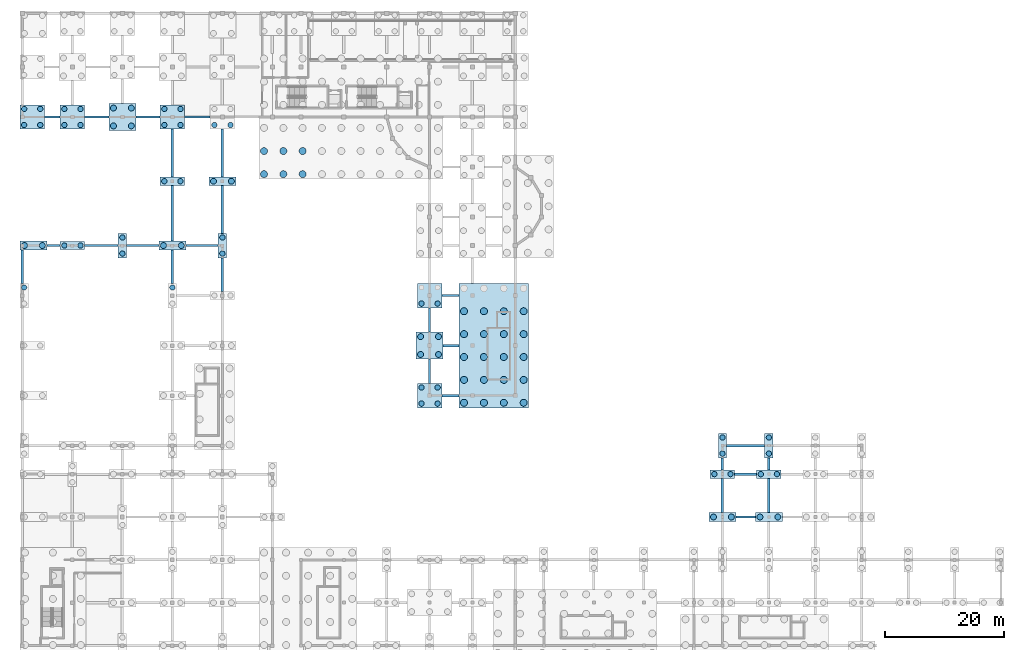
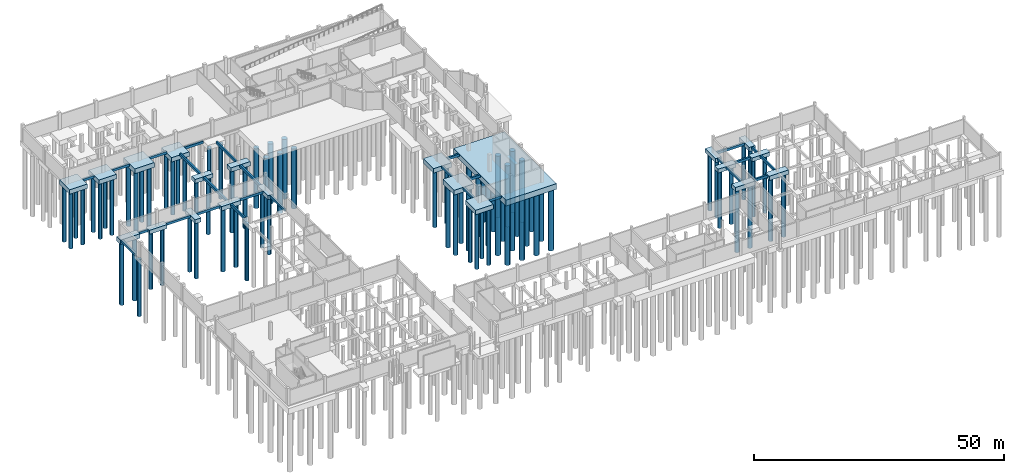
# One storey, part 4 of 22: 82 piles, 48 footings.
"""IFC4 building model written with IfcOpenShell, lengths in metres."""

from ifc_helpers import new_model, si_unit, direction, frame, origin, origin_2d, place, context, subcontext, project, spatial, rectangle, circle, extrude, material, material_profile, profile_set, type_object, element, save


model = new_model("IFC4")

# Units and contexts
model_context = context("Model", 3, precision=1e-05, world=origin(), true_north=direction((0.0, 1.0)))
body_context = subcontext(model_context, "Body", "Model", "MODEL_VIEW")
ifc_project = project(units=[si_unit("LENGTHUNIT", "METRE"), si_unit("AREAUNIT", "SQUARE_METRE"), si_unit("VOLUMEUNIT", "CUBIC_METRE"), si_unit("PLANEANGLEUNIT", "RADIAN"), si_unit("MASSUNIT", "GRAM", prefix="KILO")], contexts=[model_context])

# Site, building, storey
site_placement = place(None, origin())
site = spatial("IfcSite", under=ifc_project, at=site_placement, CompositionType="ELEMENT")
building_placement = place(site_placement, origin())
building = spatial("IfcBuilding", under=site, at=building_placement, Name="Kahlenmark Community Centre", CompositionType="ELEMENT")
storey_placement = place(building_placement, frame((0.0, 0.0, -4.199951171875)))
storey = spatial("IfcBuildingStorey", under=building, at=storey_placement, Name="B1", CompositionType="ELEMENT", Elevation=-4.199951171875)

# Footings
ifc_material = material(Name="Concrete C30/37", Category="concrete")
footing_type_1 = type_object("IfcFootingType", Name="FT-GB-400X600", PredefinedType="FOOTING_BEAM", material=ifc_material)
footing_1_placement = place(storey_placement, frame((125.5, 30.39990234375, -0.60009765625), z_axis=(0.0, 0.0, 1.0), x_axis=(1.0, 0.0, 0.0)))
element("IfcFooting", 1, at=footing_1_placement, inside=storey, type_object=footing_type_1, Name="Ground tie beam X053", PredefinedType="FOOTING_BEAM", context=body_context, shape_type="SweptSolid", body=[
    extrude(rectangle(XDim=3.300048828125, YDim=0.39990234375, at=origin_2d()), origin(), (0.0, 0.0, 1.0), 0.60009765625),
])
footing_2_placement = place(storey_placement, frame((125.5, 37.60009765625, -0.60009765625), z_axis=(0.0, 0.0, 1.0), x_axis=(1.0, 0.0, 0.0)))
element("IfcFooting", 2, at=footing_2_placement, inside=storey, type_object=footing_type_1, Name="Ground tie beam X061", PredefinedType="FOOTING_BEAM", context=body_context, shape_type="SweptSolid", body=[
    extrude(rectangle(XDim=3.699951171875, YDim=0.39990234375, at=origin_2d()), origin(), (0.0, 0.0, 1.0), 0.60009765625),
])
footing_3_placement = place(storey_placement, frame((125.5, 42.39990234375, -0.60009765625), z_axis=(0.0, 0.0, 1.0), x_axis=(1.0, 0.0, 0.0)))
element("IfcFooting", 3, at=footing_3_placement, inside=storey, type_object=footing_type_1, Name="Ground tie beam X068", PredefinedType="FOOTING_BEAM", context=body_context, shape_type="SweptSolid", body=[
    extrude(rectangle(XDim=6.39990234375, YDim=0.39990234375, at=origin_2d()), origin(), (0.0, 0.0, 1.0), 0.60009765625),
])
footing_4_placement = place(storey_placement, frame((75.89990234375, 50.800048828125, -0.60009765625), z_axis=(0.0, 0.0, 1.0), x_axis=(1.0, 0.0, 0.0)))
element("IfcFooting", 4, at=footing_4_placement, inside=storey, type_object=footing_type_1, Name="Ground tie beam X072", PredefinedType="FOOTING_BEAM", context=body_context, shape_type="SweptSolid", body=[
    extrude(rectangle(XDim=2.89990234375, YDim=0.39990234375, at=origin_2d()), origin(), (0.0, 0.0, 1.0), 0.60009765625),
])
footing_5_placement = place(storey_placement, frame((76.0, 59.199951171875, -0.60009765625), z_axis=(0.0, 0.0, 1.0), x_axis=(1.0, 0.0, 0.0)))
element("IfcFooting", 5, at=footing_5_placement, inside=storey, type_object=footing_type_1, Name="Ground tie beam X074", PredefinedType="FOOTING_BEAM", context=body_context, shape_type="SweptSolid", body=[
    extrude(rectangle(XDim=2.699951171875, YDim=0.39990234375, at=origin_2d()), origin(), (0.0, 0.0, 1.0), 0.60009765625),
])
footing_6_placement = place(storey_placement, frame((75.89990234375, 67.60009765625, -0.60009765625), z_axis=(0.0, 0.0, 1.0), x_axis=(1.0, 0.0, 0.0)))
element("IfcFooting", 6, at=footing_6_placement, inside=storey, type_object=footing_type_1, Name="Ground tie beam X076", PredefinedType="FOOTING_BEAM", context=body_context, shape_type="SweptSolid", body=[
    extrude(rectangle(XDim=2.89990234375, YDim=0.39990234375, at=origin_2d()), origin(), (0.0, 0.0, 1.0), 0.60009765625),
])
footing_7_placement = place(storey_placement, frame((9.22509765625, 76.0, -0.60009765625), z_axis=(0.0, 0.0, 1.0), x_axis=(1.0, 0.0, 0.0)))
element("IfcFooting", 7, at=footing_7_placement, inside=storey, type_object=footing_type_1, Name="Ground tie beam X077", PredefinedType="FOOTING_BEAM", context=body_context, shape_type="SweptSolid", body=[
    extrude(rectangle(XDim=2.25, YDim=0.39990234375, at=origin_2d()), origin(), (0.0, 0.0, 1.0), 0.60009765625),
])
footing_8_placement = place(storey_placement, frame((17.27490234375, 76.0, -0.60009765625), z_axis=(0.0, 0.0, 1.0), x_axis=(1.0, 0.0, 0.0)))
element("IfcFooting", 8, at=footing_8_placement, inside=storey, type_object=footing_type_1, Name="Ground tie beam X078", PredefinedType="FOOTING_BEAM", context=body_context, shape_type="SweptSolid", body=[
    extrude(rectangle(XDim=5.64990234375, YDim=0.39990234375, at=origin_2d()), origin(), (0.0, 0.0, 1.0), 0.60009765625),
])
for number, where, z_axis, x_axis, name in (
    (9, (24.22509765625, 76.0, -0.60009765625), (0.0, 0.0, 1.0), (1.0, 0.0, 0.0), "Ground tie beam X079"),
    (10, (34.175048828125, 76.0, -0.60009765625), (0.0, 0.0, 1.0), (1.0, 0.0, 0.0), "Ground tie beam X080"),
):
    element("IfcFooting", number, at=place(storey_placement, frame(where, z_axis=z_axis, x_axis=x_axis)), inside=storey, type_object=footing_type_1, Name=name, PredefinedType="FOOTING_BEAM", context=body_context, shape_type="SweptSolid", body=[
        extrude(rectangle(XDim=5.449951171875, YDim=0.39990234375, at=origin_2d()), origin(), (0.0, 0.0, 1.0), 0.60009765625),
    ])
footing_9_placement = place(storey_placement, frame((9.02490234375, 97.60009765625, -0.60009765625), z_axis=(0.0, 0.0, 1.0), x_axis=(1.0, 0.0, 0.0)))
element("IfcFooting", 11, at=footing_9_placement, inside=storey, type_object=footing_type_1, Name="Ground tie beam X087", PredefinedType="FOOTING_BEAM", context=body_context, shape_type="SweptSolid", body=[
    extrude(rectangle(XDim=2.64990234375, YDim=0.39990234375, at=origin_2d()), origin(), (0.0, 0.0, 1.0), 0.60009765625),
])
for number, where, z_axis, x_axis, name in (
    (12, (16.5, 97.60009765625, -0.60009765625), (0.0, 0.0, 1.0), (1.0, 0.0, 0.0), "Ground tie beam X088"),
    (13, (25.10009765625, 97.60009765625, -0.60009765625), (0.0, 0.0, 1.0), (1.0, 0.0, 0.0), "Ground tie beam X089"),
):
    element("IfcFooting", number, at=place(storey_placement, frame(where, z_axis=z_axis, x_axis=x_axis)), inside=storey, type_object=footing_type_1, Name=name, PredefinedType="FOOTING_BEAM", context=body_context, shape_type="SweptSolid", body=[
        extrude(rectangle(XDim=4.10009765625, YDim=0.39990234375, at=origin_2d()), origin(), (0.0, 0.0, 1.0), 0.60009765625),
    ])
footing_10_placement = place(storey_placement, frame((33.39990234375, 97.60009765625, -1.0), z_axis=(0.0, 0.0, 1.0), x_axis=(1.0, 0.0, 0.0)))
element("IfcFooting", 14, at=footing_10_placement, inside=storey, type_object=footing_type_1, Name="Ground tie beam X090", PredefinedType="FOOTING_BEAM", context=body_context, shape_type="SweptSolid", body=[
    extrude(rectangle(XDim=4.300048828125, YDim=0.39990234375, at=origin_2d()), origin(), (0.0, 0.0, 1.0), 0.60009765625),
])
for number, where, z_axis, x_axis, name in (
    (15, (4.0, 72.449951171875, -0.60009765625), (0.0, 0.0, 1.0), (1.0, 0.0, 0.0), "Ground tie beam Y117"),
    (16, (29.199951171875, 72.449951171875, -0.60009765625), (0.0, 0.0, 1.0), (1.0, 0.0, 0.0), "Ground tie beam Y140"),
):
    element("IfcFooting", number, at=place(storey_placement, frame(where, z_axis=z_axis, x_axis=x_axis)), inside=storey, type_object=footing_type_1, Name=name, PredefinedType="FOOTING_BEAM", context=body_context, shape_type="SweptSolid", body=[
        extrude(rectangle(XDim=0.39990234375, YDim=5.60009765625, at=origin_2d()), origin(), (0.0, 0.0, 1.0), 0.60009765625),
    ])
footing_11_placement = place(storey_placement, frame((29.199951171875, 81.425048828125, -0.60009765625), z_axis=(0.0, 0.0, 1.0), x_axis=(1.0, 0.0, 0.0)))
element("IfcFooting", 17, at=footing_11_placement, inside=storey, type_object=footing_type_1, Name="Ground tie beam Y141", PredefinedType="FOOTING_BEAM", context=body_context, shape_type="SweptSolid", body=[
    extrude(rectangle(XDim=0.39990234375, YDim=9.35009765625, at=origin_2d()), origin(), (0.0, 0.0, 1.0), 0.60009765625),
])
footing_12_placement = place(storey_placement, frame((29.199951171875, 91.52490234375, -0.60009765625), z_axis=(0.0, 0.0, 1.0), x_axis=(1.0, 0.0, 0.0)))
element("IfcFooting", 18, at=footing_12_placement, inside=storey, type_object=footing_type_1, Name="Ground tie beam Y142", PredefinedType="FOOTING_BEAM", context=body_context, shape_type="SweptSolid", body=[
    extrude(rectangle(XDim=0.39990234375, YDim=8.050048828125, at=origin_2d()), origin(), (0.0, 0.0, 1.0), 0.60009765625),
])
footing_13_placement = place(storey_placement, frame((37.60009765625, 71.125, -0.60009765625), z_axis=(0.0, 0.0, 1.0), x_axis=(1.0, 0.0, 0.0)))
element("IfcFooting", 19, at=footing_13_placement, inside=storey, type_object=footing_type_1, Name="Ground tie beam Y152", PredefinedType="FOOTING_BEAM", context=body_context, shape_type="SweptSolid", body=[
    extrude(rectangle(XDim=0.39990234375, YDim=5.64990234375, at=origin_2d()), origin(), (0.0, 0.0, 1.0), 0.60009765625),
])
for number, where, z_axis, x_axis, name in (
    (20, (37.60009765625, 82.050048828125, -0.60009765625), (0.0, 0.0, 1.0), (1.0, 0.0, 0.0), "Ground tie beam Y153"),
    (21, (37.60009765625, 91.550048828125, -0.60009765625), (0.0, 0.0, 1.0), (1.0, 0.0, 0.0), "Ground tie beam Y154"),
):
    element("IfcFooting", number, at=place(storey_placement, frame(where, z_axis=z_axis, x_axis=x_axis)), inside=storey, type_object=footing_type_1, Name=name, PredefinedType="FOOTING_BEAM", context=body_context, shape_type="SweptSolid", body=[
        extrude(rectangle(XDim=0.39990234375, YDim=8.0, at=origin_2d()), origin(), (0.0, 0.0, 1.0), 0.60009765625),
    ])
for number, where, z_axis, x_axis, name in (
    (22, (72.39990234375, 54.89990234375, -0.60009765625), (0.0, 0.0, 1.0), (1.0, 0.0, 0.0), "Ground tie beam Y167"),
    (23, (72.39990234375, 63.5, -0.60009765625), (0.0, 0.0, 1.0), (1.0, 0.0, 0.0), "Ground tie beam Y168"),
):
    element("IfcFooting", number, at=place(storey_placement, frame(where, z_axis=z_axis, x_axis=x_axis)), inside=storey, type_object=footing_type_1, Name=name, PredefinedType="FOOTING_BEAM", context=body_context, shape_type="SweptSolid", body=[
        extrude(rectangle(XDim=0.39990234375, YDim=4.10009765625, at=origin_2d()), origin(), (0.0, 0.0, 1.0), 0.60009765625),
    ])
footing_14_placement = place(storey_placement, frame((121.60009765625, 34.02490234375, -0.60009765625), z_axis=(0.0, 0.0, 1.0), x_axis=(1.0, 0.0, 0.0)))
element("IfcFooting", 24, at=footing_14_placement, inside=storey, type_object=footing_type_1, Name="Ground tie beam Y192", PredefinedType="FOOTING_BEAM", context=body_context, shape_type="SweptSolid", body=[
    extrude(rectangle(XDim=0.39990234375, YDim=5.75, at=origin_2d()), origin(), (0.0, 0.0, 1.0), 0.60009765625),
])
footing_15_placement = place(storey_placement, frame((121.60009765625, 39.324951171875, -0.60009765625), z_axis=(0.0, 0.0, 1.0), x_axis=(1.0, 0.0, 0.0)))
element("IfcFooting", 25, at=footing_15_placement, inside=storey, type_object=footing_type_1, Name="Ground tie beam Y193", PredefinedType="FOOTING_BEAM", context=body_context, shape_type="SweptSolid", body=[
    extrude(rectangle(XDim=0.39990234375, YDim=2.050048828125, at=origin_2d()), origin(), (0.0, 0.0, 1.0), 0.60009765625),
])
footing_16_placement = place(storey_placement, frame((129.39990234375, 34.02490234375, -0.60009765625), z_axis=(0.0, 0.0, 1.0), x_axis=(1.0, 0.0, 0.0)))
element("IfcFooting", 26, at=footing_16_placement, inside=storey, type_object=footing_type_1, Name="Ground tie beam Y197", PredefinedType="FOOTING_BEAM", context=body_context, shape_type="SweptSolid", body=[
    extrude(rectangle(XDim=0.39990234375, YDim=5.75, at=origin_2d()), origin(), (0.0, 0.0, 1.0), 0.60009765625),
])
footing_17_placement = place(storey_placement, frame((129.39990234375, 39.324951171875, -0.60009765625), z_axis=(0.0, 0.0, 1.0), x_axis=(1.0, 0.0, 0.0)))
element("IfcFooting", 27, at=footing_17_placement, inside=storey, type_object=footing_type_1, Name="Ground tie beam Y198", PredefinedType="FOOTING_BEAM", context=body_context, shape_type="SweptSolid", body=[
    extrude(rectangle(XDim=0.39990234375, YDim=2.050048828125, at=origin_2d()), origin(), (0.0, 0.0, 1.0), 0.60009765625),
])
footing_type_2 = type_object("IfcFootingType", Name="FT-PC-1170X2090X140", PredefinedType="PILE_CAP", material=ifc_material)
footing_18_placement = place(storey_placement, frame((83.199951171875, 59.199951171875, -1.39990234375), z_axis=(0.0, 0.0, 1.0), x_axis=(1.0, 0.0, 0.0)))
element("IfcFooting", 28, at=footing_18_placement, inside=storey, type_object=footing_type_2, Name="Bored pile cap FT-PC-076", PredefinedType="PILE_CAP", context=body_context, shape_type="SweptSolid", body=[
    extrude(rectangle(XDim=11.699951171875, YDim=20.89990234375, at=origin_2d()), origin(), (0.0, 0.0, 1.0), 1.39990234375),
])
footing_type_3 = type_object("IfcFootingType", Name="FT-PC-140X410X100", PredefinedType="PILE_CAP", material=ifc_material)
for number, where, z_axis, x_axis, name in (
    (29, (121.60009765625, 42.39990234375, -1.0), (0.0, 0.0, 1.0), (1.0, 0.0, 0.0), "Bored pile cap FT-PC-068"),
    (30, (129.39990234375, 42.39990234375, -1.0), (0.0, 0.0, 1.0), (1.0, 0.0, 0.0), "Bored pile cap FT-PC-069"),
    (31, (20.800048828125, 76.0, -1.0), (0.0, 0.0, 1.0), (1.0, 0.0, 0.0), "Bored pile cap FT-PC-087"),
    (32, (37.60009765625, 76.0, -1.0), (0.0, 0.0, 1.0), (1.0, 0.0, 0.0), "Bored pile cap FT-PC-088"),
):
    element("IfcFooting", number, at=place(storey_placement, frame(where, z_axis=z_axis, x_axis=x_axis)), inside=storey, type_object=footing_type_3, Name=name, PredefinedType="PILE_CAP", context=body_context, shape_type="SweptSolid", body=[
        extrude(rectangle(XDim=1.39990234375, YDim=4.10009765625, at=origin_2d()), origin(), (0.0, 0.0, 1.0), 1.0),
    ])
footing_type_4 = type_object("IfcFootingType", Name="FT-PC-410X140X95", PredefinedType="PILE_CAP", material=ifc_material)
for number, where, z_axis, x_axis, name in (
    (33, (121.60009765625, 37.60009765625, -0.9501953125), (0.0, 0.0, 1.0), (1.0, 0.0, 0.0), "Bored pile cap FT-PC-062"),
    (34, (129.39990234375, 37.60009765625, -0.9501953125), (0.0, 0.0, 1.0), (1.0, 0.0, 0.0), "Bored pile cap FT-PC-063"),
    (35, (12.39990234375, 76.0, -0.9501953125), (0.0, 0.0, 1.0), (1.0, 0.0, 0.0), "Bored pile cap FT-PC-094"),
    (36, (29.199951171875, 86.800048828125, -0.9501953125), (0.0, 0.0, 1.0), (1.0, 0.0, 0.0), "Bored pile cap FT-PC-096"),
):
    element("IfcFooting", number, at=place(storey_placement, frame(where, z_axis=z_axis, x_axis=x_axis)), inside=storey, type_object=footing_type_4, Name=name, PredefinedType="PILE_CAP", context=body_context, shape_type="SweptSolid", body=[
        extrude(rectangle(XDim=4.10009765625, YDim=1.39990234375, at=origin_2d()), origin(), (0.0, 0.0, 1.0), 0.949951171875),
    ])
footing_type_5 = type_object("IfcFootingType", Name="FT-PC-410X410X110", PredefinedType="PILE_CAP", material=ifc_material)
for number, where, z_axis, x_axis, name in (
    (37, (72.39990234375, 50.800048828125, -1.10009765625), (0.0, 0.0, 1.0), (1.0, 0.0, 0.0), "Bored pile cap FT-PC-075"),
    (38, (72.39990234375, 67.60009765625, -1.10009765625), (0.0, 0.0, 1.0), (1.0, 0.0, 0.0), "Bored pile cap FT-PC-085"),
    (39, (5.64990234375, 97.60009765625, -1.10009765625), (0.0, 0.0, 1.0), (1.0, 0.0, 0.0), "Bored pile cap FT-PC-100"),
    (40, (12.39990234375, 97.60009765625, -1.10009765625), (0.0, 0.0, 1.0), (1.0, 0.0, 0.0), "Bored pile cap FT-PC-101"),
    (41, (29.199951171875, 97.60009765625, -1.5), (0.0, 0.0, 1.0), (1.0, 0.0, 0.0), "Bored pile cap FT-PC-102"),
):
    element("IfcFooting", number, at=place(storey_placement, frame(where, z_axis=z_axis, x_axis=x_axis)), inside=storey, type_object=footing_type_5, Name=name, PredefinedType="PILE_CAP", context=body_context, shape_type="SweptSolid", body=[
        extrude(rectangle(XDim=4.10009765625, YDim=4.10009765625, at=origin_2d()), origin(), (0.0, 0.0, 1.0), 1.10009765625),
    ])
footing_type_6 = type_object("IfcFootingType", Name="FT-PC-450X150X105", PredefinedType="PILE_CAP", material=ifc_material)
for number, where, z_axis, x_axis, name in (
    (42, (121.60009765625, 30.39990234375, -1.05029296875), (0.0, 0.0, 1.0), (1.0, 0.0, 0.0), "Bored pile cap FT-PC-050"),
    (43, (129.39990234375, 30.39990234375, -1.05029296875), (0.0, 0.0, 1.0), (1.0, 0.0, 0.0), "Bored pile cap FT-PC-051"),
    (44, (5.85009765625, 76.0, -1.05029296875), (0.0, 0.0, 1.0), (1.0, 0.0, 0.0), "Bored pile cap FT-PC-092"),
    (45, (29.199951171875, 76.0, -1.05029296875), (0.0, 0.0, 1.0), (1.0, 0.0, 0.0), "Bored pile cap FT-PC-093"),
    (46, (37.60009765625, 86.800048828125, -1.05029296875), (0.0, 0.0, 1.0), (1.0, 0.0, 0.0), "Bored pile cap FT-PC-095"),
):
    element("IfcFooting", number, at=place(storey_placement, frame(where, z_axis=z_axis, x_axis=x_axis)), inside=storey, type_object=footing_type_6, Name=name, PredefinedType="PILE_CAP", context=body_context, shape_type="SweptSolid", body=[
        extrude(rectangle(XDim=4.5, YDim=1.5, at=origin_2d()), origin(), (0.0, 0.0, 1.0), 1.050048828125),
    ])
footing_type_7 = type_object("IfcFootingType", Name="FT-PC-450X450X120", PredefinedType="PILE_CAP", material=ifc_material)
for number, where, z_axis, x_axis, name in (
    (47, (72.39990234375, 59.199951171875, -1.2001953125), (0.0, 0.0, 1.0), (1.0, 0.0, 0.0), "Bored pile cap FT-PC-079"),
    (48, (20.800048828125, 97.60009765625, -1.2001953125), (0.0, 0.0, 1.0), (1.0, 0.0, 0.0), "Bored pile cap FT-PC-099"),
):
    element("IfcFooting", number, at=place(storey_placement, frame(where, z_axis=z_axis, x_axis=x_axis)), inside=storey, type_object=footing_type_7, Name=name, PredefinedType="PILE_CAP", context=body_context, shape_type="SweptSolid", body=[
        extrude(rectangle(XDim=4.5, YDim=4.5, at=origin_2d()), origin(), (0.0, 0.0, 1.0), 1.199951171875),
    ])

# Piles
ifc_material_profile_1 = material_profile(ifc_material, circle(Radius=0.5, at=origin_2d()), Name="BORED PILE 1000")
ifc_profile_set_1 = profile_set([ifc_material_profile_1], Name="Concrete C30/37")
pile_type_1 = type_object("IfcPileType", Name="PT-BP1000", PredefinedType="BORED", material=ifc_profile_set_1)
for number, where, z_axis, x_axis, name in (
    (49, (120.10009765625, 30.39990234375, -0.949951171875), (0.0, 0.0, -1.0), (1.0, 0.0, 0.0), "Bored pile PL-RC2-050-01"),
    (50, (123.10009765625, 30.39990234375, -0.949951171875), (0.0, 0.0, -1.0), (1.0, 0.0, 0.0), "Bored pile PL-RC2-050-02"),
    (51, (127.89990234375, 30.39990234375, -0.949951171875), (0.0, 0.0, -1.0), (1.0, 0.0, 0.0), "Bored pile PL-RC2-051-01"),
    (52, (130.89990234375, 30.39990234375, -0.949951171875), (0.0, 0.0, -1.0), (1.0, 0.0, 0.0), "Bored pile PL-RC2-051-02"),
):
    element("IfcPile", number, at=place(storey_placement, frame(where, z_axis=z_axis, x_axis=x_axis)), inside=storey, type_object=pile_type_1, Name=name, PredefinedType="BORED", context=body_context, shape_type="SweptSolid", body=[
        extrude(circle(Radius=0.5, at=origin_2d()), origin(), (0.0, 0.0, 1.0), 15.35009765625),
    ])
for number, where, z_axis, x_axis, name in (
    (53, (70.89990234375, 57.699951171875, -1.10009765625), (0.0, 0.0, -1.0), (1.0, 0.0, 0.0), "Bored pile PL-RC2-079-01"),
    (54, (70.89990234375, 60.699951171875, -1.10009765625), (0.0, 0.0, -1.0), (1.0, 0.0, 0.0), "Bored pile PL-RC2-079-02"),
    (55, (73.89990234375, 57.699951171875, -1.10009765625), (0.0, 0.0, -1.0), (1.0, 0.0, 0.0), "Bored pile PL-RC2-079-03"),
    (56, (73.89990234375, 60.699951171875, -1.10009765625), (0.0, 0.0, -1.0), (1.0, 0.0, 0.0), "Bored pile PL-RC2-079-04"),
):
    element("IfcPile", number, at=place(storey_placement, frame(where, z_axis=z_axis, x_axis=x_axis)), inside=storey, type_object=pile_type_1, Name=name, PredefinedType="BORED", context=body_context, shape_type="SweptSolid", body=[
        extrude(circle(Radius=0.5, at=origin_2d()), origin(), (0.0, 0.0, 1.0), 15.199951171875),
    ])
for number, where, z_axis, x_axis, name in (
    (57, (4.35009765625, 76.0, -0.949951171875), (0.0, 0.0, -1.0), (1.0, 0.0, 0.0), "Bored pile PL-RC2-092-01"),
    (58, (7.35009765625, 76.0, -0.949951171875), (0.0, 0.0, -1.0), (1.0, 0.0, 0.0), "Bored pile PL-RC2-092-02"),
    (59, (27.699951171875, 76.0, -0.949951171875), (0.0, 0.0, -1.0), (1.0, 0.0, 0.0), "Bored pile PL-RC2-093-01"),
    (60, (30.699951171875, 76.0, -0.949951171875), (0.0, 0.0, -1.0), (1.0, 0.0, 0.0), "Bored pile PL-RC2-093-02"),
    (61, (36.10009765625, 86.800048828125, -0.949951171875), (0.0, 0.0, -1.0), (1.0, 0.0, 0.0), "Bored pile PL-RC2-095-01"),
    (62, (39.10009765625, 86.800048828125, -0.949951171875), (0.0, 0.0, -1.0), (1.0, 0.0, 0.0), "Bored pile PL-RC2-095-02"),
):
    element("IfcPile", number, at=place(storey_placement, frame(where, z_axis=z_axis, x_axis=x_axis)), inside=storey, type_object=pile_type_1, Name=name, PredefinedType="BORED", context=body_context, shape_type="SweptSolid", body=[
        extrude(circle(Radius=0.5, at=origin_2d()), origin(), (0.0, 0.0, 1.0), 15.35009765625),
    ])
for number, where, z_axis, x_axis, name in (
    (63, (19.300048828125, 96.10009765625, -1.10009765625), (0.0, 0.0, -1.0), (1.0, 0.0, 0.0), "Bored pile PL-RC2-099-01"),
    (64, (19.300048828125, 99.10009765625, -1.10009765625), (0.0, 0.0, -1.0), (1.0, 0.0, 0.0), "Bored pile PL-RC2-099-02"),
    (65, (22.300048828125, 96.10009765625, -1.10009765625), (0.0, 0.0, -1.0), (1.0, 0.0, 0.0), "Bored pile PL-RC2-099-03"),
    (66, (22.300048828125, 99.10009765625, -1.10009765625), (0.0, 0.0, -1.0), (1.0, 0.0, 0.0), "Bored pile PL-RC2-099-04"),
):
    element("IfcPile", number, at=place(storey_placement, frame(where, z_axis=z_axis, x_axis=x_axis)), inside=storey, type_object=pile_type_1, Name=name, PredefinedType="BORED", context=body_context, shape_type="SweptSolid", body=[
        extrude(circle(Radius=0.5, at=origin_2d()), origin(), (0.0, 0.0, 1.0), 15.199951171875),
    ])
ifc_material_profile_2 = material_profile(ifc_material, circle(Radius=0.590087890625, at=origin_2d()), Name="BORED PILE 1180")
ifc_profile_set_2 = profile_set([ifc_material_profile_2], Name="Concrete C30/37")
pile_type_2 = type_object("IfcPileType", Name="PT-BP1180", PredefinedType="BORED", material=ifc_profile_set_2)
for number, where, z_axis, x_axis, name in (
    (67, (78.18994140625, 49.590087890625, -1.300048828125), (0.0, 0.0, -1.0), (1.0, 0.0, 0.0), "Bored pile PL-RC2-076-01"),
    (68, (78.18994140625, 53.43408203125, -1.300048828125), (0.0, 0.0, -1.0), (1.0, 0.0, 0.0), "Bored pile PL-RC2-076-02"),
    (69, (78.18994140625, 57.278076171875, -1.300048828125), (0.0, 0.0, -1.0), (1.0, 0.0, 0.0), "Bored pile PL-RC2-076-03"),
    (70, (78.18994140625, 61.1220703125, -1.300048828125), (0.0, 0.0, -1.0), (1.0, 0.0, 0.0), "Bored pile PL-RC2-076-04"),
    (71, (78.18994140625, 64.966064453125, -1.300048828125), (0.0, 0.0, -1.0), (1.0, 0.0, 0.0), "Bored pile PL-RC2-076-05"),
    (72, (81.530029296875, 49.590087890625, -1.300048828125), (0.0, 0.0, -1.0), (1.0, 0.0, 0.0), "Bored pile PL-RC2-076-07"),
    (73, (81.530029296875, 53.43408203125, -1.300048828125), (0.0, 0.0, -1.0), (1.0, 0.0, 0.0), "Bored pile PL-RC2-076-08"),
    (74, (81.530029296875, 57.278076171875, -1.300048828125), (0.0, 0.0, -1.0), (1.0, 0.0, 0.0), "Bored pile PL-RC2-076-09"),
    (75, (81.530029296875, 61.1220703125, -1.300048828125), (0.0, 0.0, -1.0), (1.0, 0.0, 0.0), "Bored pile PL-RC2-076-10"),
    (76, (81.530029296875, 64.966064453125, -1.300048828125), (0.0, 0.0, -1.0), (1.0, 0.0, 0.0), "Bored pile PL-RC2-076-11"),
    (77, (84.8701171875, 49.590087890625, -1.300048828125), (0.0, 0.0, -1.0), (1.0, 0.0, 0.0), "Bored pile PL-RC2-076-13"),
    (78, (84.8701171875, 53.43408203125, -1.300048828125), (0.0, 0.0, -1.0), (1.0, 0.0, 0.0), "Bored pile PL-RC2-076-14"),
    (79, (84.8701171875, 57.278076171875, -1.300048828125), (0.0, 0.0, -1.0), (1.0, 0.0, 0.0), "Bored pile PL-RC2-076-15"),
    (80, (84.8701171875, 61.1220703125, -1.300048828125), (0.0, 0.0, -1.0), (1.0, 0.0, 0.0), "Bored pile PL-RC2-076-16"),
    (81, (84.8701171875, 64.966064453125, -1.300048828125), (0.0, 0.0, -1.0), (1.0, 0.0, 0.0), "Bored pile PL-RC2-076-17"),
    (82, (88.2099609375, 49.590087890625, -1.300048828125), (0.0, 0.0, -1.0), (1.0, 0.0, 0.0), "Bored pile PL-RC2-076-19"),
    (83, (88.2099609375, 53.43408203125, -1.300048828125), (0.0, 0.0, -1.0), (1.0, 0.0, 0.0), "Bored pile PL-RC2-076-20"),
    (84, (88.2099609375, 57.278076171875, -1.300048828125), (0.0, 0.0, -1.0), (1.0, 0.0, 0.0), "Bored pile PL-RC2-076-21"),
    (85, (88.2099609375, 61.1220703125, -1.300048828125), (0.0, 0.0, -1.0), (1.0, 0.0, 0.0), "Bored pile PL-RC2-076-22"),
    (86, (88.2099609375, 64.966064453125, -1.300048828125), (0.0, 0.0, -1.0), (1.0, 0.0, 0.0), "Bored pile PL-RC2-076-23"),
):
    element("IfcPile", number, at=place(storey_placement, frame(where, z_axis=z_axis, x_axis=x_axis)), inside=storey, type_object=pile_type_2, Name=name, PredefinedType="BORED", context=body_context, shape_type="SweptSolid", body=[
        extrude(circle(Radius=0.590087890625, at=origin_2d()), origin(), (0.0, 0.0, 1.0), 15.0),
    ])
for number, where, z_axis, x_axis, name in (
    (87, (44.590087890625, 87.989990234375, -1.699951171875), (0.0, 0.0, -1.0), (1.0, 0.0, 0.0), "Bored pile PL-RC2-097-01"),
    (88, (44.590087890625, 91.8740234375, -1.699951171875), (0.0, 0.0, -1.0), (1.0, 0.0, 0.0), "Bored pile PL-RC2-097-02"),
    (89, (47.8369140625, 87.989990234375, -1.699951171875), (0.0, 0.0, -1.0), (1.0, 0.0, 0.0), "Bored pile PL-RC2-097-07"),
    (90, (47.8369140625, 91.8740234375, -1.699951171875), (0.0, 0.0, -1.0), (1.0, 0.0, 0.0), "Bored pile PL-RC2-097-08"),
    (91, (51.0830078125, 87.989990234375, -1.699951171875), (0.0, 0.0, -1.0), (1.0, 0.0, 0.0), "Bored pile PL-RC2-097-13"),
    (92, (51.0830078125, 91.8740234375, -1.699951171875), (0.0, 0.0, -1.0), (1.0, 0.0, 0.0), "Bored pile PL-RC2-097-14"),
):
    element("IfcPile", number, at=place(storey_placement, frame(where, z_axis=z_axis, x_axis=x_axis)), inside=storey, type_object=pile_type_2, Name=name, PredefinedType="BORED", context=body_context, shape_type="SweptSolid", body=[
        extrude(circle(Radius=0.590087890625, at=origin_2d()), origin(), (0.0, 0.0, 1.0), 14.60009765625),
    ])
ifc_material_profile_3 = material_profile(ifc_material, circle(Radius=0.449951171875, at=origin_2d()), Name="BORED PILE 900")
ifc_profile_set_3 = profile_set([ifc_material_profile_3], Name="Concrete C30/37")
pile_type_3 = type_object("IfcPileType", Name="PT-BP900", PredefinedType="BORED", material=ifc_profile_set_3)
for number, where, z_axis, x_axis, name in (
    (93, (120.25, 37.60009765625, -0.85009765625), (0.0, 0.0, -1.0), (1.0, 0.0, 0.0), "Bored pile PL-RC2-062-01"),
    (94, (122.949951171875, 37.60009765625, -0.85009765625), (0.0, 0.0, -1.0), (1.0, 0.0, 0.0), "Bored pile PL-RC2-062-02"),
    (95, (128.050048828125, 37.60009765625, -0.85009765625), (0.0, 0.0, -1.0), (1.0, 0.0, 0.0), "Bored pile PL-RC2-063-01"),
    (96, (130.75, 37.60009765625, -0.85009765625), (0.0, 0.0, -1.0), (1.0, 0.0, 0.0), "Bored pile PL-RC2-063-02"),
):
    element("IfcPile", number, at=place(storey_placement, frame(where, z_axis=z_axis, x_axis=x_axis)), inside=storey, type_object=pile_type_3, Name=name, PredefinedType="BORED", context=body_context, shape_type="SweptSolid", body=[
        extrude(circle(Radius=0.449951171875, at=origin_2d()), origin(), (0.0, 0.0, 1.0), 13.949951171875),
    ])
for number, where, z_axis, x_axis, name in (
    (97, (121.60009765625, 41.050048828125, -0.900146484375), (0.0, 0.0, -1.0), (1.0, 0.0, 0.0), "Bored pile PL-RC2-068-01"),
    (98, (121.60009765625, 43.75, -0.900146484375), (0.0, 0.0, -1.0), (1.0, 0.0, 0.0), "Bored pile PL-RC2-068-02"),
    (99, (129.39990234375, 41.050048828125, -0.900146484375), (0.0, 0.0, -1.0), (1.0, 0.0, 0.0), "Bored pile PL-RC2-069-01"),
    (100, (129.39990234375, 43.75, -0.900146484375), (0.0, 0.0, -1.0), (1.0, 0.0, 0.0), "Bored pile PL-RC2-069-02"),
):
    element("IfcPile", number, at=place(storey_placement, frame(where, z_axis=z_axis, x_axis=x_axis)), inside=storey, type_object=pile_type_3, Name=name, PredefinedType="BORED", context=body_context, shape_type="SweptSolid", body=[
        extrude(circle(Radius=0.449951171875, at=origin_2d()), origin(), (0.0, 0.0, 1.0), 13.89990234375),
    ])
for number, where, z_axis, x_axis, name in (
    (101, (71.050048828125, 49.449951171875, -1.0), (0.0, 0.0, -1.0), (1.0, 0.0, 0.0), "Bored pile PL-RC2-075-01"),
    (102, (71.050048828125, 52.14990234375, -1.0), (0.0, 0.0, -1.0), (1.0, 0.0, 0.0), "Bored pile PL-RC2-075-02"),
    (103, (73.75, 49.449951171875, -1.0), (0.0, 0.0, -1.0), (1.0, 0.0, 0.0), "Bored pile PL-RC2-075-03"),
    (104, (73.75, 52.14990234375, -1.0), (0.0, 0.0, -1.0), (1.0, 0.0, 0.0), "Bored pile PL-RC2-075-04"),
):
    element("IfcPile", number, at=place(storey_placement, frame(where, z_axis=z_axis, x_axis=x_axis)), inside=storey, type_object=pile_type_3, Name=name, PredefinedType="BORED", context=body_context, shape_type="SweptSolid", body=[
        extrude(circle(Radius=0.449951171875, at=origin_2d()), origin(), (0.0, 0.0, 1.0), 13.800048828125),
    ])
for number, where, z_axis, x_axis, name in (
    (105, (4.300048828125, 68.949951171875, -0.900146484375), (0.0, 0.0, -1.0), (1.0, 0.0, 0.0), "Bored pile PL-RC2-083-02"),
    (106, (29.199951171875, 68.949951171875, -0.900146484375), (0.0, 0.0, -1.0), (1.0, 0.0, 0.0), "Bored pile PL-RC2-084-02"),
):
    element("IfcPile", number, at=place(storey_placement, frame(where, z_axis=z_axis, x_axis=x_axis)), inside=storey, type_object=pile_type_3, Name=name, PredefinedType="BORED", context=body_context, shape_type="SweptSolid", body=[
        extrude(circle(Radius=0.449951171875, at=origin_2d()), origin(), (0.0, 0.0, 1.0), 13.89990234375),
    ])
for number, where, z_axis, x_axis, name in (
    (107, (71.050048828125, 66.25, -1.0), (0.0, 0.0, -1.0), (1.0, 0.0, 0.0), "Bored pile PL-RC2-085-01"),
    (108, (73.75, 66.25, -1.0), (0.0, 0.0, -1.0), (1.0, 0.0, 0.0), "Bored pile PL-RC2-085-03"),
):
    element("IfcPile", number, at=place(storey_placement, frame(where, z_axis=z_axis, x_axis=x_axis)), inside=storey, type_object=pile_type_3, Name=name, PredefinedType="BORED", context=body_context, shape_type="SweptSolid", body=[
        extrude(circle(Radius=0.449951171875, at=origin_2d()), origin(), (0.0, 0.0, 1.0), 13.800048828125),
    ])
for number, where, z_axis, x_axis, name in (
    (109, (20.800048828125, 74.64990234375, -0.900146484375), (0.0, 0.0, -1.0), (1.0, 0.0, 0.0), "Bored pile PL-RC2-087-01"),
    (110, (20.800048828125, 77.35009765625, -0.900146484375), (0.0, 0.0, -1.0), (1.0, 0.0, 0.0), "Bored pile PL-RC2-087-02"),
    (111, (37.60009765625, 74.64990234375, -0.900146484375), (0.0, 0.0, -1.0), (1.0, 0.0, 0.0), "Bored pile PL-RC2-088-01"),
    (112, (37.60009765625, 77.35009765625, -0.900146484375), (0.0, 0.0, -1.0), (1.0, 0.0, 0.0), "Bored pile PL-RC2-088-02"),
):
    element("IfcPile", number, at=place(storey_placement, frame(where, z_axis=z_axis, x_axis=x_axis)), inside=storey, type_object=pile_type_3, Name=name, PredefinedType="BORED", context=body_context, shape_type="SweptSolid", body=[
        extrude(circle(Radius=0.449951171875, at=origin_2d()), origin(), (0.0, 0.0, 1.0), 13.89990234375),
    ])
for number, where, z_axis, x_axis, name in (
    (113, (11.050048828125, 76.0, -0.85009765625), (0.0, 0.0, -1.0), (1.0, 0.0, 0.0), "Bored pile PL-RC2-094-01"),
    (114, (13.75, 76.0, -0.85009765625), (0.0, 0.0, -1.0), (1.0, 0.0, 0.0), "Bored pile PL-RC2-094-02"),
    (115, (27.85009765625, 86.800048828125, -0.85009765625), (0.0, 0.0, -1.0), (1.0, 0.0, 0.0), "Bored pile PL-RC2-096-01"),
    (116, (30.550048828125, 86.800048828125, -0.85009765625), (0.0, 0.0, -1.0), (1.0, 0.0, 0.0), "Bored pile PL-RC2-096-02"),
):
    element("IfcPile", number, at=place(storey_placement, frame(where, z_axis=z_axis, x_axis=x_axis)), inside=storey, type_object=pile_type_3, Name=name, PredefinedType="BORED", context=body_context, shape_type="SweptSolid", body=[
        extrude(circle(Radius=0.449951171875, at=origin_2d()), origin(), (0.0, 0.0, 1.0), 13.949951171875),
    ])
for number, where, z_axis, x_axis, name in (
    (117, (4.300048828125, 96.25, -1.0), (0.0, 0.0, -1.0), (1.0, 0.0, 0.0), "Bored pile PL-RC2-100-01"),
    (118, (4.300048828125, 98.949951171875, -1.0), (0.0, 0.0, -1.0), (1.0, 0.0, 0.0), "Bored pile PL-RC2-100-02"),
    (119, (7.0, 96.25, -1.0), (0.0, 0.0, -1.0), (1.0, 0.0, 0.0), "Bored pile PL-RC2-100-03"),
    (120, (7.0, 98.949951171875, -1.0), (0.0, 0.0, -1.0), (1.0, 0.0, 0.0), "Bored pile PL-RC2-100-04"),
    (121, (11.050048828125, 96.25, -1.0), (0.0, 0.0, -1.0), (1.0, 0.0, 0.0), "Bored pile PL-RC2-101-01"),
    (122, (11.050048828125, 98.949951171875, -1.0), (0.0, 0.0, -1.0), (1.0, 0.0, 0.0), "Bored pile PL-RC2-101-02"),
    (123, (13.75, 96.25, -1.0), (0.0, 0.0, -1.0), (1.0, 0.0, 0.0), "Bored pile PL-RC2-101-03"),
    (124, (13.75, 98.949951171875, -1.0), (0.0, 0.0, -1.0), (1.0, 0.0, 0.0), "Bored pile PL-RC2-101-04"),
):
    element("IfcPile", number, at=place(storey_placement, frame(where, z_axis=z_axis, x_axis=x_axis)), inside=storey, type_object=pile_type_3, Name=name, PredefinedType="BORED", context=body_context, shape_type="SweptSolid", body=[
        extrude(circle(Radius=0.449951171875, at=origin_2d()), origin(), (0.0, 0.0, 1.0), 13.800048828125),
    ])
for number, where, z_axis, x_axis, name in (
    (125, (27.85009765625, 96.25, -1.400146484375), (0.0, 0.0, -1.0), (1.0, 0.0, 0.0), "Bored pile PL-RC2-102-01"),
    (126, (27.85009765625, 98.949951171875, -1.400146484375), (0.0, 0.0, -1.0), (1.0, 0.0, 0.0), "Bored pile PL-RC2-102-02"),
    (127, (30.550048828125, 96.25, -1.400146484375), (0.0, 0.0, -1.0), (1.0, 0.0, 0.0), "Bored pile PL-RC2-102-03"),
    (128, (30.550048828125, 98.949951171875, -1.400146484375), (0.0, 0.0, -1.0), (1.0, 0.0, 0.0), "Bored pile PL-RC2-102-04"),
    (129, (36.25, 96.25, -1.400146484375), (0.0, 0.0, -1.0), (1.0, 0.0, 0.0), "Bored pile PL-RC2-103-01"),
    (130, (38.949951171875, 96.25, -1.400146484375), (0.0, 0.0, -1.0), (1.0, 0.0, 0.0), "Bored pile PL-RC2-103-03"),
):
    element("IfcPile", number, at=place(storey_placement, frame(where, z_axis=z_axis, x_axis=x_axis)), inside=storey, type_object=pile_type_3, Name=name, PredefinedType="BORED", context=body_context, shape_type="SweptSolid", body=[
        extrude(circle(Radius=0.449951171875, at=origin_2d()), origin(), (0.0, 0.0, 1.0), 13.39990234375),
    ])

save(model, "model.ifc")
